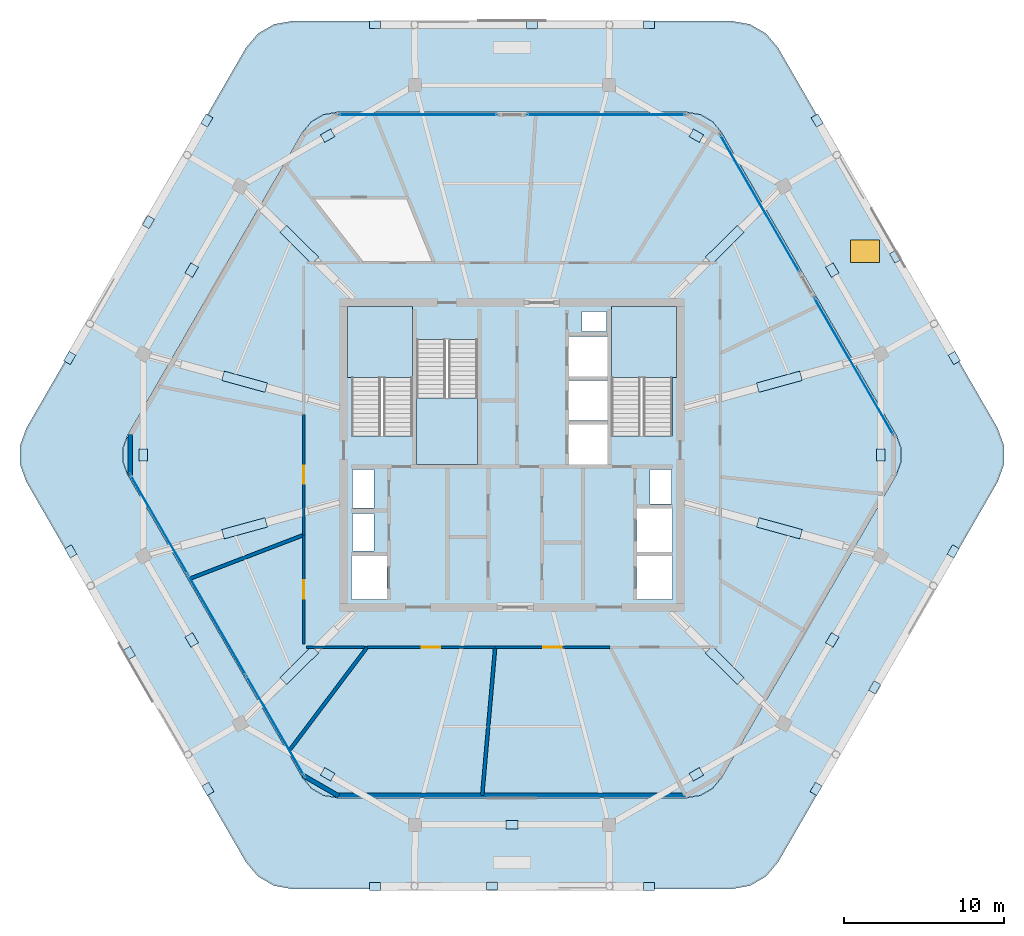
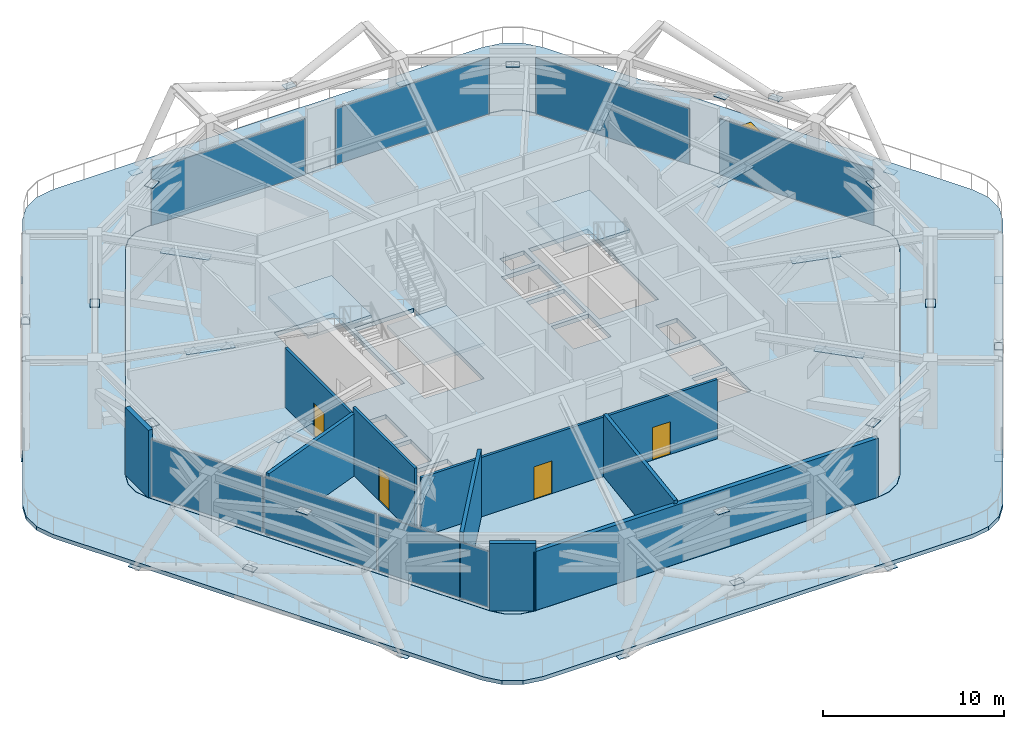
# One storey, part 12 of 19: 44 plates, 11 walls, 5 slabs, 4 doors, 1 window, 5 openings, 8 elements without a shape of their own.
"""IFC4 building model written with IfcOpenShell, lengths in metres."""

from ifc_helpers import new_model, si_unit, direction, frame, frame_2d, origin, origin_2d, place, context, subcontext, project, spatial, polyline, rectangle, outline, extrude, material, layer, layer_set, type_object, element, fill, aggregate, save


model = new_model("IFC4")

# Units and contexts
model_context = context("Model", 3, precision=1e-05, world=origin(), true_north=direction((0.0, 1.0)))
body_context = subcontext(model_context, "Body", "Model", "MODEL_VIEW")
ifc_project = project(units=[si_unit("LENGTHUNIT", "METRE"), si_unit("AREAUNIT", "SQUARE_METRE"), si_unit("VOLUMEUNIT", "CUBIC_METRE"), si_unit("PLANEANGLEUNIT", "RADIAN"), si_unit("MASSUNIT", "GRAM", prefix="KILO")], contexts=[model_context])

# Site, building, storey
site_placement = place(None, origin())
site = spatial("IfcSite", under=ifc_project, at=site_placement, CompositionType="ELEMENT")
building_placement = place(site_placement, origin())
building = spatial("IfcBuilding", under=site, at=building_placement, Name="Zuhravey Tower", CompositionType="ELEMENT")
storey_placement = place(building_placement, frame((0.0, 0.0, 303.39990234375)))
storey = spatial("IfcBuildingStorey", under=building, at=storey_placement, Name="L77", CompositionType="ELEMENT", Elevation=303.39990234375)

# Plates
ifc_material_1 = material(Name="Steel SM460", Category="steel")
ifc_layer_1 = layer(ifc_material_1, 0.031982421875)
ifc_layer_set_1 = layer_set([ifc_layer_1], Name="Steel SM460")
plate_type_1 = type_object("IfcPlateType", Name="Belt Truss Setback Node Plate ND7", PredefinedType="SHEET", material=ifc_layer_set_1)
for number, where, z_axis, x_axis, name in (
    (1, (55.97412109375, 43.531982421875, 3.93408203125), (0.0, 0.0, 1.0), (-0.5, 0.866025403784, 0.0), "L77 Belt Truss Apex Gusset ND7-01"),
    (2, (47.49658203125, 51.912841796875, 3.93408203125), (0.0, 0.0, 1.0), (-0.866025403784, 0.5, 0.0), "L77 Belt Truss Apex Gusset ND7-02"),
    (3, (24.50341796875, 51.912841796875, 3.93408203125), (0.0, 0.0, 1.0), (-0.866025403784, -0.5, 0.0), "L77 Belt Truss Apex Gusset ND7-03"),
    (4, (16.02587890625, 43.531982421875, 3.93408203125), (0.0, 0.0, 1.0), (-0.5, -0.866025403784, 0.0), "L77 Belt Truss Apex Gusset ND7-04"),
    (5, (13.006591796875, 32.0, 3.93408203125), (0.0, 0.0, 1.0), (0.0, -1.0, 0.0), "L77 Belt Truss Apex Gusset ND7-05"),
    (6, (16.02587890625, 20.468017578125, 3.93408203125), (0.0, 0.0, 1.0), (0.5, -0.866025403784, 0.0), "L77 Belt Truss Apex Gusset ND7-06"),
    (7, (24.50341796875, 12.087158203125, 3.93408203125), (0.0, 0.0, 1.0), (0.866025403784, -0.5, 0.0), "L77 Belt Truss Apex Gusset ND7-07"),
    (8, (36.0, 8.935791015625, 3.93408203125), (0.0, 0.0, 1.0), (1.0, 0.0, 0.0), "L77 Belt Truss Apex Gusset ND7-08"),
    (9, (47.49658203125, 12.087158203125, 3.93408203125), (0.0, 0.0, 1.0), (0.866025403784, 0.5, 0.0), "L77 Belt Truss Apex Gusset ND7-09"),
    (10, (55.97412109375, 20.468017578125, 3.93408203125), (0.0, 0.0, 1.0), (0.5, 0.866025403784, 0.0), "L77 Belt Truss Apex Gusset ND7-10"),
    (11, (58.993408203125, 32.0, 3.93408203125), (0.0, 0.0, 1.0), (0.0, 1.0, 0.0), "L77 Belt Truss Apex Gusset ND7-11"),
):
    element("IfcPlate", number, at=place(storey_placement, frame(where, z_axis=z_axis, x_axis=x_axis)), inside=storey, type_object=plate_type_1, Name=name, PredefinedType="SHEET", context=body_context, shape_type="SweptSolid", body=[
        extrude(rectangle(XDim=0.739990234375, YDim=0.5400390625, at=origin_2d()), origin(), (0.0, 0.0, 1.0), 0.031982421875),
    ])
ifc_layer_2 = layer(ifc_material_1, 0.028076171875)
ifc_layer_set_2 = layer_set([ifc_layer_2], Name="Steel SM460")
plate_type_2 = type_object("IfcPlateType", Name="Exoskeleton Zone 4 Node Plate ND4", PredefinedType="SHEET", material=ifc_layer_set_2)
for number, where, z_axis, x_axis, name in (
    (12, (63.57861328125, 38.050537109375, -0.5078125), (0.0, 0.0, 1.0), (-0.5, 0.866025403784, 0.0), "L77 Exoskeleton Node Gusset L77-01"),
    (13, (55.029296875, 52.858642578125, -0.5078125), (0.0, 0.0, 1.0), (-0.5, 0.866025403784, 0.0), "L77 Exoskeleton Node Gusset L77-02"),
    (14, (44.549560546875, 58.833984375, -0.5078125), (0.0, 0.0, 1.0), (-1.0, 0.0, 0.0), "L77 Exoskeleton Node Gusset L77-03"),
    (15, (27.450439453125, 58.833984375, -0.5078125), (0.0, 0.0, 1.0), (-1.0, 0.0, 0.0), "L77 Exoskeleton Node Gusset L77-04"),
    (16, (16.970703125, 52.858642578125, -0.5078125), (0.0, 0.0, 1.0), (-0.5, -0.866025403784, 0.0), "L77 Exoskeleton Node Gusset L77-05"),
    (17, (8.42138671875, 38.050537109375, -0.5078125), (0.0, 0.0, 1.0), (-0.5, -0.866025403784, 0.0), "L77 Exoskeleton Node Gusset L77-06"),
    (18, (8.486328125, 25.987060546875, -0.5078125), (0.0, 0.0, 1.0), (0.5, -0.866025403784, 0.0), "L77 Exoskeleton Node Gusset L77-07"),
    (19, (17.035888671875, 11.178955078125, -0.5078125), (0.0, 0.0, 1.0), (0.5, -0.866025403784, 0.0), "L77 Exoskeleton Node Gusset L77-08"),
    (20, (27.450439453125, 5.0908203125, -0.5078125), (0.0, 0.0, 1.0), (1.0, 0.0, 0.0), "L77 Exoskeleton Node Gusset L77-09"),
    (21, (44.549560546875, 5.0908203125, -0.5078125), (0.0, 0.0, 1.0), (1.0, 0.0, 0.0), "L77 Exoskeleton Node Gusset L77-10"),
    (22, (54.964111328125, 11.178955078125, -0.5078125), (0.0, 0.0, 1.0), (0.5, 0.866025403784, 0.0), "L77 Exoskeleton Node Gusset L77-11"),
    (23, (63.513671875, 25.987060546875, -0.5078125), (0.0, 0.0, 1.0), (0.5, 0.866025403784, 0.0), "L77 Exoskeleton Node Gusset L77-12"),
    (24, (59.91796875, 44.3759765625, 1.9072265625), (0.0, 0.0, 1.0), (-0.5, 0.866025403784, 0.0), "L77 Face 1 Diagrid X-Crossing Plate"),
    (25, (37.2412109375, 58.833984375, 1.9072265625), (0.0, 0.0, 1.0), (-1.0, 0.0, 0.0), "L77 Face 2 Diagrid X-Crossing Plate"),
    (26, (13.322998046875, 46.525634765625, 1.9072265625), (0.0, 0.0, 1.0), (-0.5, -0.866025403784, 0.0), "L77 Face 3 Diagrid X-Crossing Plate"),
    (27, (12.140380859375, 19.65771484375, 1.9072265625), (0.0, 0.0, 1.0), (0.5, -0.866025403784, 0.0), "L77 Face 4 Diagrid X-Crossing Plate"),
    (28, (34.7587890625, 5.098388671875, 1.9072265625), (0.0, 0.0, 1.0), (1.0, 0.0, 0.0), "L77 Face 5 Diagrid X-Crossing Plate"),
    (29, (58.618408203125, 17.50830078125, 1.9072265625), (0.0, 0.0, 1.0), (0.5, 0.866025403784, 0.0), "L77 Face 6 Diagrid X-Crossing Plate"),
):
    element("IfcPlate", number, at=place(storey_placement, frame(where, z_axis=z_axis, x_axis=x_axis)), inside=storey, type_object=plate_type_2, Name=name, PredefinedType="SHEET", context=body_context, shape_type="SweptSolid", body=[
        extrude(rectangle(XDim=0.679931640625, YDim=0.47998046875, at=origin_2d()), origin(), (0.0, 0.0, 1.0), 0.028076171875),
    ])
ifc_layer_3 = layer(ifc_material_1, 0.035888671875)
ifc_layer_set_3 = layer_set([ifc_layer_3], Name="Steel SM460")
plate_type_3 = type_object("IfcPlateType", Name="Outrigger Core Node Plate ND6", PredefinedType="SHEET", material=ifc_layer_set_3)
for number, where, z_axis, x_axis, name in (
    (30, (52.673828125, 36.5703125, 3.9638671875), (0.0, 0.0, 1.0), (0.964419122639, 0.264378054854, 0.0), "L77 Outrigger Apex Node Plate ND6-01M"),
    (31, (49.262939453125, 45.112060546875, 3.9638671875), (0.0, 0.0, 1.0), (0.711167673026, 0.703022432673, 0.0), "L77 Outrigger Apex Node Plate ND6-02M"),
    (32, (22.737060546875, 45.112060546875, 3.9638671875), (0.0, 0.0, 1.0), (-0.711167673026, 0.703022432673, 0.0), "L77 Outrigger Apex Node Plate ND6-03M"),
    (33, (19.326171875, 36.5703125, 3.9638671875), (0.0, 0.0, 1.0), (-0.964419122639, 0.264378054854, 0.0), "L77 Outrigger Apex Node Plate ND6-04M"),
    (34, (19.326171875, 27.4296875, 3.9638671875), (0.0, 0.0, 1.0), (-0.964419122639, -0.264378054854, 0.0), "L77 Outrigger Apex Node Plate ND6-05M"),
    (35, (22.737060546875, 18.887939453125, 3.9638671875), (0.0, 0.0, 1.0), (-0.711167673026, -0.703022432673, 0.0), "L77 Outrigger Apex Node Plate ND6-06M"),
    (36, (49.262939453125, 18.887939453125, 3.9638671875), (0.0, 0.0, 1.0), (0.711167673026, -0.703022432673, 0.0), "L77 Outrigger Apex Node Plate ND6-07M"),
    (37, (52.673828125, 27.4296875, 3.9638671875), (0.0, 0.0, 1.0), (0.964419122639, -0.264378054854, 0.0), "L77 Outrigger Apex Node Plate ND6-08M"),
):
    element("IfcPlate", number, at=place(storey_placement, frame(where, z_axis=z_axis, x_axis=x_axis)), inside=storey, type_object=plate_type_3, Name=name, PredefinedType="SHEET", context=body_context, shape_type="SweptSolid", body=[
        extrude(rectangle(XDim=2.800048828125, YDim=0.60009765625, at=origin_2d()), origin(), (0.0, 0.0, 1.0), 0.035888671875),
    ])

# Slab
ifc_material_2 = material(Name="Concrete C50/60", Category="concrete")
ifc_layer_4 = layer(ifc_material_2, 0.280029296875)
ifc_layer_set_4 = layer_set([ifc_layer_4], Name="Concrete C50/60")
slab_type_1 = type_object("IfcSlabType", Name="School Composite Floor Slab 280", PredefinedType="FLOOR", material=ifc_layer_set_4)
slab_1_placement = place(storey_placement, frame((0.0, 0.0, -0.27978515625)))
element("IfcSlab", 38, at=slab_1_placement, inside=storey, type_object=slab_type_1, Name="L77 Floor Slab FS28", PredefinedType="FLOOR", context=body_context, shape_type="SweptSolid", body=[
    extrude(outline(polyline([(59.9619140625, 30.77490234375), (60.2529296875, 31.57470703125), (60.2529296875, 32.42529296875), (59.9619140625, 33.22509765625), (49.041748046875, 52.13916015625), (48.494873046875, 52.791015625), (47.758056640625, 53.21630859375), (46.919921875, 53.364013671875), (25.080078125, 53.364013671875), (24.241943359375, 53.21630859375), (23.505126953125, 52.791015625), (22.958251953125, 52.13916015625), (12.0380859375, 33.22509765625), (11.7470703125, 32.42529296875), (11.7470703125, 31.57470703125), (12.0380859375, 30.77490234375), (22.958251953125, 11.86083984375), (23.505126953125, 11.208984375), (24.241943359375, 10.78369140625), (25.080078125, 10.635986328125), (46.919921875, 10.635986328125), (47.758056640625, 10.78369140625), (48.494873046875, 11.208984375), (49.041748046875, 11.86083984375), (59.9619140625, 30.77490234375)]), holes=[polyline([(29.800048828125, 33.20068359375), (29.800048828125, 41.0), (26.0, 41.0), (26.0, 33.20068359375), (29.800048828125, 33.20068359375)]), polyline([(46.0, 33.20068359375), (46.0, 41.0), (42.199951171875, 41.0), (42.199951171875, 33.20068359375), (46.0, 33.20068359375)]), polyline([(30.050048828125, 39.199462890625), (30.050048828125, 31.39990234375), (33.85009765625, 31.39990234375), (33.85009765625, 39.199462890625), (30.050048828125, 39.199462890625)]), polyline([(39.550048828125, 31.39990234375), (41.949951171875, 31.39990234375), (41.949951171875, 33.89990234375), (39.550048828125, 33.89990234375), (39.550048828125, 31.39990234375)]), polyline([(39.550048828125, 34.14990234375), (41.949951171875, 34.14990234375), (41.949951171875, 36.64990234375), (39.550048828125, 36.64990234375), (39.550048828125, 34.14990234375)]), polyline([(39.550048828125, 36.89990234375), (41.949951171875, 36.89990234375), (41.949951171875, 39.39990234375), (39.550048828125, 39.39990234375), (39.550048828125, 36.89990234375)]), polyline([(26.0, 23.0), (28.199951171875, 23.0), (28.199951171875, 25.699951171875), (26.0, 25.699951171875), (26.0, 23.0)]), polyline([(43.800048828125, 23.0), (46.0, 23.0), (46.0, 25.699951171875), (43.800048828125, 25.699951171875), (43.800048828125, 23.0)]), polyline([(43.800048828125, 25.949951171875), (46.0, 25.949951171875), (46.0, 28.64990234375), (43.800048828125, 28.64990234375), (43.800048828125, 25.949951171875)]), polyline([(26.050048828125, 26.0), (27.39990234375, 26.0), (27.39990234375, 28.35009765625), (26.050048828125, 28.35009765625), (26.050048828125, 26.0)]), polyline([(26.050048828125, 28.699951171875), (27.39990234375, 28.699951171875), (27.39990234375, 31.10009765625), (26.050048828125, 31.10009765625), (26.050048828125, 28.699951171875)]), polyline([(44.60009765625, 28.949951171875), (45.949951171875, 28.949951171875), (45.949951171875, 31.10009765625), (44.60009765625, 31.10009765625), (44.60009765625, 28.949951171875)]), polyline([(40.35009765625, 39.699951171875), (41.89990234375, 39.699951171875), (41.89990234375, 40.949951171875), (40.35009765625, 40.949951171875), (40.35009765625, 39.699951171875)])]), origin(), (0.0, 0.0, 1.0), 0.27978515625),
])

# Slab, opening, window
ifc_layer_5 = layer(ifc_material_2, 0.260009765625)
ifc_layer_set_5 = layer_set([ifc_layer_5], Name="Concrete C50/60")
slab_type_2 = type_object("IfcSlabType", Name="Sky-Playground & Garden Tray Slab 260", PredefinedType="FLOOR", material=ifc_layer_set_5)
slab_2_placement = place(storey_placement, frame((0.0, 0.0, -0.260009765625)))
slab_2 = element("IfcSlab", 39, at=slab_2_placement, inside=storey, type_object=slab_type_2, Name="L77 Sky-Garden Perimeter Tray GT26", PredefinedType="FLOOR", context=body_context, shape_type="SweptSolid", body=[
    extrude(outline(polyline([(66.28369140625, 30.324951171875), (66.681884765625, 31.418212890625), (66.681884765625, 32.581787109375), (66.28369140625, 33.675048828125), (52.592529296875, 57.38916015625), (51.8447265625, 58.2802734375), (50.837158203125, 58.862060546875), (49.69140625, 59.064208984375), (22.30859375, 59.064208984375), (21.162841796875, 58.862060546875), (20.1552734375, 58.2802734375), (19.407470703125, 57.38916015625), (5.71630859375, 33.675048828125), (5.318115234375, 32.581787109375), (5.318115234375, 31.418212890625), (5.71630859375, 30.324951171875), (19.407470703125, 6.61083984375), (20.1552734375, 5.7197265625), (21.162841796875, 5.137939453125), (22.30859375, 4.935791015625), (49.69140625, 4.935791015625), (50.837158203125, 5.137939453125), (51.8447265625, 5.7197265625), (52.592529296875, 6.61083984375), (66.28369140625, 30.324951171875)]), holes=[polyline([(59.976806640625, 30.77490234375), (60.267822265625, 31.57470703125), (60.267822265625, 32.42529296875), (59.976806640625, 33.22509765625), (49.04931640625, 52.152099609375), (48.50244140625, 52.803955078125), (47.765380859375, 53.229248046875), (46.927490234375, 53.377197265625), (25.072509765625, 53.377197265625), (24.234619140625, 53.229248046875), (23.49755859375, 52.803955078125), (22.95068359375, 52.152099609375), (12.023193359375, 33.22509765625), (11.732177734375, 32.42529296875), (11.732177734375, 31.57470703125), (12.023193359375, 30.77490234375), (22.95068359375, 11.847900390625), (23.49755859375, 11.196044921875), (24.234619140625, 10.770751953125), (25.072509765625, 10.622802734375), (46.927490234375, 10.622802734375), (47.765380859375, 10.770751953125), (48.50244140625, 11.196044921875), (49.04931640625, 11.847900390625), (59.976806640625, 30.77490234375)])]), origin(), (0.0, 0.0, 1.0), 0.260009765625),
])
opening_1_placement = place(slab_2_placement, frame((58.02001953125, 44.71337890625, 0.0)))
opening_1 = element("IfcOpeningElement", 40, at=opening_1_placement, cuts=slab_2, Name="Opening RL1", PredefinedType="OPENING", context=body_context, shape_type="SweptSolid", body=[
    extrude(rectangle(XDim=1.800048828125, YDim=1.39990234375, at=origin_2d()), origin(), (0.0, 0.0, 1.0), 0.260009765625),
])
ifc_material_3 = material(Name="Thermally broken aluminium and laminated safety glass", Category="aluminium")
window_type = type_object("IfcWindowType", Name="Play-Deck Daylight Rooflight 1800x2200", PartitioningType="SINGLE_PANEL", PredefinedType="SKYLIGHT", material=ifc_material_3)
window_placement = place(opening_1_placement, frame((0.0, 0.0, 0.2099609375)))
window = element("IfcWindow", 41, at=window_placement, inside=storey, type_object=window_type, Name="L77 Play-Deck Daylight Rooflight RL1-1", OverallHeight=1.39990234375, OverallWidth=1.800048828125, PartitioningType="SINGLE_PANEL", PredefinedType="SKYLIGHT", context=body_context, shape_type="SweptSolid", body=[
    extrude(rectangle(XDim=1.800048828125, YDim=1.39990234375, at=origin_2d()), origin(), (0.0, 0.0, 1.0), 0.050048828125),
])
fill(opening_1, window)

# Stair, slab
ifc_material_4 = material(Name="Concrete C40/50", Category="concrete")
stair_type = type_object("IfcStairType", Name="Refuge Storey Stair Assembly 4800", PredefinedType="HALF_TURN_STAIR", material=ifc_material_4)
stair_1_placement = place(storey_placement, origin())
stair_1 = element("IfcStair", 42, at=stair_1_placement, inside=storey, type_object=stair_type, Name="L77 Core Exit Stair ST1", PredefinedType="HALF_TURN_STAIR")
ifc_layer_6 = layer(ifc_material_4, 0.199951171875)
ifc_layer_set_6 = layer_set([ifc_layer_6], Name="Concrete C40/50")
slab_type_3 = type_object("IfcSlabType", Name="Stair Landing Slab 200", PredefinedType="LANDING", material=ifc_layer_set_6)
slab_3_placement = place(storey_placement, frame((0.0, 0.0, 2.2001953125)))
slab_3 = element("IfcSlab", 43, at=slab_3_placement, type_object=slab_type_3, Name="ST1 landing 1", PredefinedType="LANDING", context=body_context, shape_type="SweptSolid", body=[
    extrude(outline(polyline([(29.800048828125, 36.840087890625), (29.800048828125, 41.248046875), (25.751953125, 41.248046875), (25.751953125, 36.840087890625), (29.800048828125, 36.840087890625)])), origin(), (0.0, 0.0, 1.0), 0.199951171875),
])
aggregate(stair_1, [slab_3])

stair_2_placement = place(storey_placement, origin())
stair_2 = element("IfcStair", 44, at=stair_2_placement, inside=storey, type_object=stair_type, Name="L77 Core Exit Stair ST2", PredefinedType="HALF_TURN_STAIR")
slab_4_placement = place(storey_placement, frame((0.0, 0.0, 2.2001953125)))
slab_4 = element("IfcSlab", 45, at=slab_4_placement, type_object=slab_type_3, Name="ST2 landing 1", PredefinedType="LANDING", context=body_context, shape_type="SweptSolid", body=[
    extrude(outline(polyline([(46.248046875, 36.840087890625), (46.248046875, 41.248046875), (42.199951171875, 41.248046875), (42.199951171875, 36.840087890625), (46.248046875, 36.840087890625)])), origin(), (0.0, 0.0, 1.0), 0.199951171875),
])
aggregate(stair_2, [slab_4])

stair_3_placement = place(storey_placement, origin())
stair_3 = element("IfcStair", 46, at=stair_3_placement, inside=storey, type_object=stair_type, Name="L77 Core Exit Stair ST3", PredefinedType="HALF_TURN_STAIR")
slab_5_placement = place(storey_placement, frame((0.0, 0.0, 2.2001953125)))
slab_5 = element("IfcSlab", 47, at=slab_5_placement, type_object=slab_type_3, Name="ST3 landing 1", PredefinedType="LANDING", context=body_context, shape_type="SweptSolid", body=[
    extrude(outline(polyline([(30.050048828125, 35.56005859375), (30.050048828125, 31.39990234375), (33.85009765625, 31.39990234375), (33.85009765625, 35.56005859375), (30.050048828125, 35.56005859375)])), origin(), (0.0, 0.0, 1.0), 0.199951171875),
])
aggregate(stair_3, [slab_5])

# Curtain wall, plates
ifc_material_5 = material(Name="Thermally broken anodised aluminium", Category="aluminium")
curtain_wall_type = type_object("IfcCurtainWallType", Name="Sky-Garden Tray Clerestory Curtain Wall CW5", PredefinedType="NOTDEFINED", material=ifc_material_5)
curtain_wall_1_placement = place(storey_placement, origin())
curtain_wall_1 = element("IfcCurtainWall", 48, at=curtain_wall_1_placement, inside=storey, type_object=curtain_wall_type, Name="L77 CW5 CW-L77-F4-1", PredefinedType="NOTDEFINED")
ifc_material_6 = material(Name="Triple low-E insulated vision glass", Category="glass")
ifc_layer_7 = layer(ifc_material_6, 0.0419921875)
ifc_layer_set_7 = layer_set([ifc_layer_7], Name="Triple low-E insulated vision glass")
plate_type_4 = type_object("IfcPlateType", Name="Triple Low-E Vision Panel", PredefinedType="CURTAIN_PANEL", material=ifc_layer_set_7)
plate_1_placement = place(storey_placement, frame((21.234375, 15.12646484375, 0.10009765625), z_axis=(0.0, 0.0, 1.0), x_axis=(-0.499998864274, 0.866026059495, 0.0)))
plate_1 = element("IfcPlate", 49, at=plate_1_placement, type_object=plate_type_4, Name="CW5 panel 1.1", PredefinedType="CURTAIN_PANEL", context=body_context, shape_type="SweptSolid", body=[
    extrude(rectangle(XDim=7.10498046875, YDim=0.0419921875, at=origin_2d()), origin(), (0.0, 0.0, 1.0), 3.77001953125),
])
plate_2_placement = place(storey_placement, frame((17.619384765625, 21.387939453125, 0.10009765625), z_axis=(0.0, 0.0, 1.0), x_axis=(-0.499998864274, 0.866026059495, 0.0)))
plate_2 = element("IfcPlate", 50, at=plate_2_placement, type_object=plate_type_4, Name="CW5 panel 2.1", PredefinedType="CURTAIN_PANEL", context=body_context, shape_type="SweptSolid", body=[
    extrude(rectangle(XDim=7.155029296875, YDim=0.0419921875, at=origin_2d()), origin(), (0.0, 0.0, 1.0), 3.77001953125),
])
plate_3_placement = place(storey_placement, frame((14.00439453125, 27.6494140625, 0.10009765625), z_axis=(0.0, 0.0, 1.0), x_axis=(-0.499998864274, 0.866026059495, 0.0)))
plate_3 = element("IfcPlate", 51, at=plate_3_placement, type_object=plate_type_4, Name="CW5 panel 3.1", PredefinedType="CURTAIN_PANEL", context=body_context, shape_type="SweptSolid", body=[
    extrude(rectangle(XDim=7.10498046875, YDim=0.0419921875, at=origin_2d()), origin(), (0.0, 0.0, 1.0), 3.77001953125),
])
aggregate(curtain_wall_1, [plate_1, plate_2, plate_3])

# Curtain wall, plate
curtain_wall_2_placement = place(storey_placement, origin())
curtain_wall_2 = element("IfcCurtainWall", 52, at=curtain_wall_2_placement, inside=storey, type_object=curtain_wall_type, Name="L77 CW5 CW-L77-F2-1", PredefinedType="NOTDEFINED")
plate_4_placement = place(storey_placement, frame((30.1337890625, 53.22412109375, 0.10009765625), z_axis=(0.0, 0.0, 1.0), x_axis=(1.0, 0.0, 0.0)))
plate_4 = element("IfcPlate", 53, at=plate_4_placement, type_object=plate_type_4, Name="CW5 panel 1.1", PredefinedType="CURTAIN_PANEL", context=body_context, shape_type="SweptSolid", body=[
    extrude(rectangle(XDim=9.83251953125, YDim=0.0419921875, at=origin_2d()), origin(), (0.0, 0.0, 1.0), 3.77001953125),
])
aggregate(curtain_wall_2, [plate_4])

curtain_wall_3_placement = place(storey_placement, origin())
curtain_wall_3 = element("IfcCurtainWall", 54, at=curtain_wall_3_placement, inside=storey, type_object=curtain_wall_type, Name="L77 CW5 CW-L77-F2-2", PredefinedType="NOTDEFINED")
plate_5_placement = place(storey_placement, frame((41.8662109375, 53.22412109375, 0.10009765625), z_axis=(0.0, 0.0, 1.0), x_axis=(1.0, 0.0, 0.0)))
plate_5 = element("IfcPlate", 55, at=plate_5_placement, type_object=plate_type_4, Name="CW5 panel 1.1", PredefinedType="CURTAIN_PANEL", context=body_context, shape_type="SweptSolid", body=[
    extrude(rectangle(XDim=9.83251953125, YDim=0.0419921875, at=origin_2d()), origin(), (0.0, 0.0, 1.0), 3.77001953125),
])
aggregate(curtain_wall_3, [plate_5])

curtain_wall_4_placement = place(storey_placement, origin())
curtain_wall_4 = element("IfcCurtainWall", 56, at=curtain_wall_4_placement, inside=storey, type_object=curtain_wall_type, Name="L77 CW5 CW-L77-F1-1", PredefinedType="NOTDEFINED")
plate_6_placement = place(storey_placement, frame((51.447509765625, 47.6923828125, 0.10009765625), z_axis=(0.0, 0.0, 1.0), x_axis=(0.499996256238, -0.866027565236, 0.0)))
plate_6 = element("IfcPlate", 57, at=plate_6_placement, type_object=plate_type_4, Name="CW5 panel 1.1", PredefinedType="CURTAIN_PANEL", context=body_context, shape_type="SweptSolid", body=[
    extrude(rectangle(XDim=9.83251953125, YDim=0.0419921875, at=origin_2d()), origin(), (0.0, 0.0, 1.0), 3.77001953125),
])
aggregate(curtain_wall_4, [plate_6])

curtain_wall_5_placement = place(storey_placement, origin())
curtain_wall_5 = element("IfcCurtainWall", 58, at=curtain_wall_5_placement, inside=storey, type_object=curtain_wall_type, Name="L77 CW5 CW-L77-F1-2", PredefinedType="NOTDEFINED")
plate_7_placement = place(storey_placement, frame((57.313720703125, 37.53173828125, 0.10009765625), z_axis=(0.0, 0.0, 1.0), x_axis=(0.500003731948, -0.866023249133, 0.0)))
plate_7 = element("IfcPlate", 59, at=plate_7_placement, type_object=plate_type_4, Name="CW5 panel 1.1", PredefinedType="CURTAIN_PANEL", context=body_context, shape_type="SweptSolid", body=[
    extrude(rectangle(XDim=9.83251953125, YDim=0.0419921875, at=origin_2d()), origin(), (0.0, 0.0, 1.0), 3.77001953125),
])
aggregate(curtain_wall_5, [plate_7])

# Wall, opening, door
ifc_material_7 = material(Name="Gypsum fire-rated stud partition")
ifc_layer_8 = layer(ifc_material_7, 0.159912109375)
ifc_layer_set_8 = layer_set([ifc_layer_8], Name="Gypsum fire-rated stud partition")
wall_type_1 = type_object("IfcWallType", Name="Corridor Fire Partition 160", PredefinedType="PARTITIONING", material=ifc_layer_set_8)
wall_1_placement = place(storey_placement, frame((23.02001953125, 34.523193359375, 0.0), z_axis=(0.0, 0.0, 1.0), x_axis=(0.0, -1.0, 0.0)))
wall_1 = element("IfcWall", 60, at=wall_1_placement, inside=storey, type_object=wall_type_1, Name="L77 IW16 Partition 026", PredefinedType="PARTITIONING", context=body_context, shape_type="SweptSolid", body=[
    extrude(rectangle(XDim=7.505859375, YDim=0.159912109375, at=frame_2d((3.7529296875, 0.0))), origin(), (0.0, 0.0, 1.0), 4.0),
])
opening_2_placement = place(wall_1_placement, frame((3.177978515625, 0.0, 0.0)))
opening_2 = element("IfcOpeningElement", 61, at=opening_2_placement, cuts=wall_1, Name="Opening CLD1", PredefinedType="OPENING", context=body_context, shape_type="SweptSolid", body=[
    extrude(rectangle(XDim=1.14990234375, YDim=2.199951171875, at=frame_2d((0.574951171875, 1.10009765625))), frame((0.0, 0.092041015625, 0.0), z_axis=(0.0, -1.0, 0.0), x_axis=(1.0, 0.0, 0.0)), (0.0, 0.0, 1.0), 0.183837890625),
])
ifc_material_8 = material(Name="Acoustic timber leaf with vision lite", Category="wood")
door_type = type_object("IfcDoorType", Name="Classroom Acoustic Door 1150x2200", OperationType="NOTDEFINED", PredefinedType="DOOR", material=ifc_material_8)
door_1_placement = place(opening_2_placement, frame((1.14990234375, 0.0, 0.0), z_axis=(0.0, 0.0, 1.0), x_axis=(-1.0, 0.0, 0.0)))
door_1 = element("IfcDoor", 62, at=door_1_placement, inside=storey, type_object=door_type, Name="L77 Door 026.1", OperationType="SINGLE_SWING_RIGHT", OverallHeight=2.199951171875, OverallWidth=1.14990234375, PredefinedType="DOOR", context=body_context, shape_type="SweptSolid", body=[
    extrude(rectangle(XDim=1.14990234375, YDim=2.199951171875, at=frame_2d((0.574951171875, 1.10009765625))), frame((0.0, 0.02490234375, 0.0), z_axis=(0.0, -1.0, 0.0), x_axis=(1.0, 0.0, 0.0)), (0.0, 0.0, 1.0), 0.050048828125),
])
fill(opening_2, door_1)

wall_2_placement = place(storey_placement, frame((23.02001953125, 27.017333984375, 0.0), z_axis=(0.0, 0.0, 1.0), x_axis=(0.0, -1.0, 0.0)))
wall_2 = element("IfcWall", 63, at=wall_2_placement, inside=storey, type_object=wall_type_1, Name="L77 IW16 Partition 027", PredefinedType="PARTITIONING", context=body_context, shape_type="SweptSolid", body=[
    extrude(rectangle(XDim=6.8173828125, YDim=0.159912109375, at=frame_2d((3.40869140625, 0.0))), origin(), (0.0, 0.0, 1.0), 4.550048828125),
])
opening_3_placement = place(wall_2_placement, frame((2.833740234375, 0.0, 0.0)))
opening_3 = element("IfcOpeningElement", 64, at=opening_3_placement, cuts=wall_2, Name="Opening CLD1", PredefinedType="OPENING", context=body_context, shape_type="SweptSolid", body=[
    extrude(rectangle(XDim=1.14990234375, YDim=2.199951171875, at=frame_2d((0.574951171875, 1.10009765625))), frame((0.0, 0.092041015625, 0.0), z_axis=(0.0, -1.0, 0.0), x_axis=(1.0, 0.0, 0.0)), (0.0, 0.0, 1.0), 0.183837890625),
])
door_2_placement = place(opening_3_placement, frame((1.14990234375, 0.0, 0.0), z_axis=(0.0, 0.0, 1.0), x_axis=(-1.0, 0.0, 0.0)))
door_2 = element("IfcDoor", 65, at=door_2_placement, inside=storey, type_object=door_type, Name="L77 Door 027.1", OperationType="SINGLE_SWING_LEFT", OverallHeight=2.199951171875, OverallWidth=1.14990234375, PredefinedType="DOOR", context=body_context, shape_type="SweptSolid", body=[
    extrude(rectangle(XDim=1.14990234375, YDim=2.199951171875, at=frame_2d((0.574951171875, 1.10009765625))), frame((0.0, 0.02490234375, 0.0), z_axis=(0.0, -1.0, 0.0), x_axis=(1.0, 0.0, 0.0)), (0.0, 0.0, 1.0), 0.050048828125),
])
fill(opening_3, door_2)

wall_3_placement = place(storey_placement, frame((26.972412109375, 20.02001953125, 0.0), z_axis=(0.0, 0.0, 1.0), x_axis=(1.0, 0.0, 0.0)))
wall_3 = element("IfcWall", 66, at=wall_3_placement, inside=storey, type_object=wall_type_1, Name="L77 IW16 Partition 028", PredefinedType="PARTITIONING", context=body_context, shape_type="SweptSolid", body=[
    extrude(rectangle(XDim=7.9794921875, YDim=0.159912109375, at=frame_2d((3.98974609375, 0.0))), origin(), (0.0, 0.0, 1.0), 4.0),
])
opening_4_placement = place(wall_3_placement, frame((3.414794921875, 0.0, 0.0)))
opening_4 = element("IfcOpeningElement", 67, at=opening_4_placement, cuts=wall_3, Name="Opening CLD1", PredefinedType="OPENING", context=body_context, shape_type="SweptSolid", body=[
    extrude(rectangle(XDim=1.14990234375, YDim=2.199951171875, at=frame_2d((0.574951171875, 1.10009765625))), frame((0.0, 0.092041015625, 0.0), z_axis=(0.0, -1.0, 0.0), x_axis=(1.0, 0.0, 0.0)), (0.0, 0.0, 1.0), 0.183837890625),
])
door_3_placement = place(opening_4_placement, frame((1.14990234375, 0.0, 0.0), z_axis=(0.0, 0.0, 1.0), x_axis=(-1.0, 0.0, 0.0)))
door_3 = element("IfcDoor", 68, at=door_3_placement, inside=storey, type_object=door_type, Name="L77 Door 028.1", OperationType="SINGLE_SWING_RIGHT", OverallHeight=2.199951171875, OverallWidth=1.14990234375, PredefinedType="DOOR", context=body_context, shape_type="SweptSolid", body=[
    extrude(rectangle(XDim=1.14990234375, YDim=2.199951171875, at=frame_2d((0.574951171875, 1.10009765625))), frame((0.0, 0.02490234375, 0.0), z_axis=(0.0, -1.0, 0.0), x_axis=(1.0, 0.0, 0.0)), (0.0, 0.0, 1.0), 0.050048828125),
])
fill(opening_4, door_3)

wall_4_placement = place(storey_placement, frame((34.951904296875, 20.02001953125, 0.0), z_axis=(0.0, 0.0, 1.0), x_axis=(1.0, 0.0, 0.0)))
wall_4 = element("IfcWall", 69, at=wall_4_placement, inside=storey, type_object=wall_type_1, Name="L77 IW16 Partition 029", PredefinedType="PARTITIONING", context=body_context, shape_type="SweptSolid", body=[
    extrude(rectangle(XDim=7.152099609375, YDim=0.159912109375, at=frame_2d((3.576171875, 0.0))), origin(), (0.0, 0.0, 1.0), 4.0),
])
opening_5_placement = place(wall_4_placement, frame((3.001220703125, 0.0, 0.0)))
opening_5 = element("IfcOpeningElement", 70, at=opening_5_placement, cuts=wall_4, Name="Opening CLD1", PredefinedType="OPENING", context=body_context, shape_type="SweptSolid", body=[
    extrude(rectangle(XDim=1.14990234375, YDim=2.199951171875, at=frame_2d((0.574951171875, 1.10009765625))), frame((0.0, 0.092041015625, 0.0), z_axis=(0.0, -1.0, 0.0), x_axis=(1.0, 0.0, 0.0)), (0.0, 0.0, 1.0), 0.183837890625),
])
door_4_placement = place(opening_5_placement, frame((1.14990234375, 0.0, 0.0), z_axis=(0.0, 0.0, 1.0), x_axis=(-1.0, 0.0, 0.0)))
door_4 = element("IfcDoor", 71, at=door_4_placement, inside=storey, type_object=door_type, Name="L77 Door 029.1", OperationType="SINGLE_SWING_LEFT", OverallHeight=2.199951171875, OverallWidth=1.14990234375, PredefinedType="DOOR", context=body_context, shape_type="SweptSolid", body=[
    extrude(rectangle(XDim=1.14990234375, YDim=2.199951171875, at=frame_2d((0.574951171875, 1.10009765625))), frame((0.0, 0.02490234375, 0.0), z_axis=(0.0, -1.0, 0.0), x_axis=(1.0, 0.0, 0.0)), (0.0, 0.0, 1.0), 0.050048828125),
])
fill(opening_5, door_4)

# Walls
wall_5_placement = place(storey_placement, frame((23.199951171875, 20.0, 0.0), z_axis=(0.0, 0.0, 1.0), x_axis=(1.0, 0.0, 0.0)))
element("IfcWall", 72, at=wall_5_placement, inside=storey, type_object=wall_type_1, Name="L77 IW16 Partition 053", PredefinedType="PARTITIONING", context=body_context, shape_type="SweptSolid", body=[
    extrude(rectangle(XDim=3.609619140625, YDim=0.159912109375, at=frame_2d((1.8046875, 0.0))), origin(), (0.0, 0.0, 1.0), 4.0),
])
ifc_material_9 = material(Name="Precast concrete C40/50", Category="concrete")
ifc_layer_9 = layer(ifc_material_9, 0.280029296875)
ifc_layer_set_9 = layer_set([ifc_layer_9], Name="Precast concrete C40/50")
wall_type_2 = type_object("IfcWallType", Name="Crown Architectural Wall 280", PredefinedType="SOLIDWALL", material=ifc_layer_set_9)
wall_6_placement = place(storey_placement, frame((46.9775390625, 10.77587890625, 0.0), z_axis=(0.0, 0.0, 1.0), x_axis=(-1.0, 0.0, 0.0)))
element("IfcWall", 73, at=wall_6_placement, inside=storey, type_object=wall_type_2, Name="L77 Face 5 Plant Enclosure Wall EW28", PredefinedType="SOLIDWALL", context=body_context, shape_type="SweptSolid", body=[
    extrude(rectangle(XDim=21.955078125, YDim=0.280029296875, at=frame_2d((10.9775390625, 0.0))), origin(), (0.0, 0.0, 1.0), 3.97021484375),
])
for number, where, z_axis, x_axis, name in (
    (74, (25.19970703125, 10.728515625, 0.0), (0.0, 0.0, 1.0), (-0.866014388206, 0.500019079056, 0.0), "L77 Rounded Corner Closure Wall EW28-04"),
    (75, (12.17822265625, 30.717529296875, 0.0), (0.0, 0.0, 1.0), (0.0, 1.0, 0.0), "L77 Rounded Corner Closure Wall EW28-06"),
):
    element("IfcWall", number, at=place(storey_placement, frame(where, z_axis=z_axis, x_axis=x_axis)), inside=storey, type_object=wall_type_2, Name=name, PredefinedType="SOLIDWALL", context=body_context, shape_type="SweptSolid", body=[
        extrude(rectangle(XDim=2.56494140625, YDim=0.280029296875, at=frame_2d((1.282470703125, 0.0))), origin(), (0.0, 0.0, 1.0), 4.550048828125),
    ])
ifc_material_10 = material(Name="Gypsum acoustic stud assembly")
ifc_layer_10 = layer(ifc_material_10, 0.219970703125)
ifc_layer_set_10 = layer_set([ifc_layer_10], Name="Gypsum acoustic stud assembly")
wall_type_3 = type_object("IfcWallType", Name="School Acoustic Compartment Wall 220", PredefinedType="PARTITIONING", material=ifc_layer_set_10)
wall_7_placement = place(storey_placement, frame((22.931884765625, 26.983642578125, 0.0), z_axis=(0.0, 0.0, 1.0), x_axis=(-0.933584803659, -0.35835654644, 0.0)))
element("IfcWall", 76, at=wall_7_placement, inside=storey, type_object=wall_type_3, Name="L77 IW22 Partition 045", PredefinedType="PARTITIONING", context=body_context, shape_type="SweptSolid", body=[
    extrude(rectangle(XDim=7.49072265625, YDim=0.219970703125, at=frame_2d((3.745361328125, 0.0))), origin(), (0.0, 0.0, 1.0), 4.2001953125),
])
wall_8_placement = place(storey_placement, frame((26.972412109375, 20.02001953125, 0.0), z_axis=(0.0, 0.0, 1.0), x_axis=(-0.601811864149, -0.798637890517, 0.0)))
element("IfcWall", 77, at=wall_8_placement, inside=storey, type_object=wall_type_3, Name="L77 IW22 Partition 046", PredefinedType="PARTITIONING", context=body_context, shape_type="SweptSolid", body=[
    extrude(rectangle(XDim=8.056396484375, YDim=0.219970703125, at=frame_2d((4.0283203125, 0.0))), origin(), (0.0, 0.0, 1.0), 4.550048828125),
])
wall_9_placement = place(storey_placement, frame((34.944091796875, 19.931884765625, 0.0), z_axis=(0.0, 0.0, 1.0), x_axis=(-0.087153440135, -0.996194899542, 0.0)))
element("IfcWall", 78, at=wall_9_placement, inside=storey, type_object=wall_type_3, Name="L77 IW22 Partition 047", PredefinedType="PARTITIONING", context=body_context, shape_type="SweptSolid", body=[
    extrude(rectangle(XDim=9.19091796875, YDim=0.219970703125, at=frame_2d((4.595458984375, 0.0))), origin(), (0.0, 0.0, 1.0), 4.2001953125),
])

save(model, "model.ifc")
